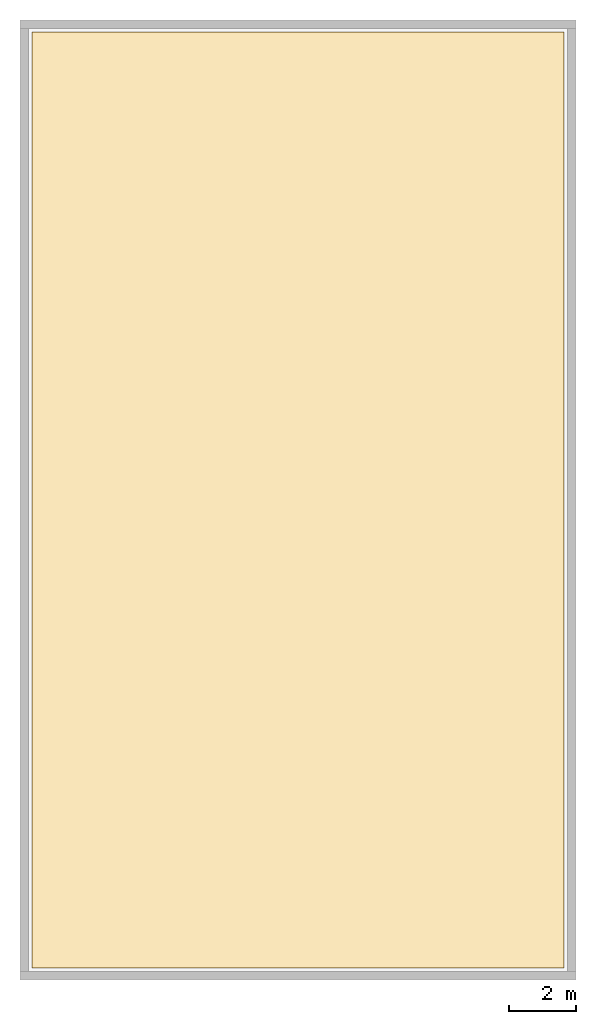
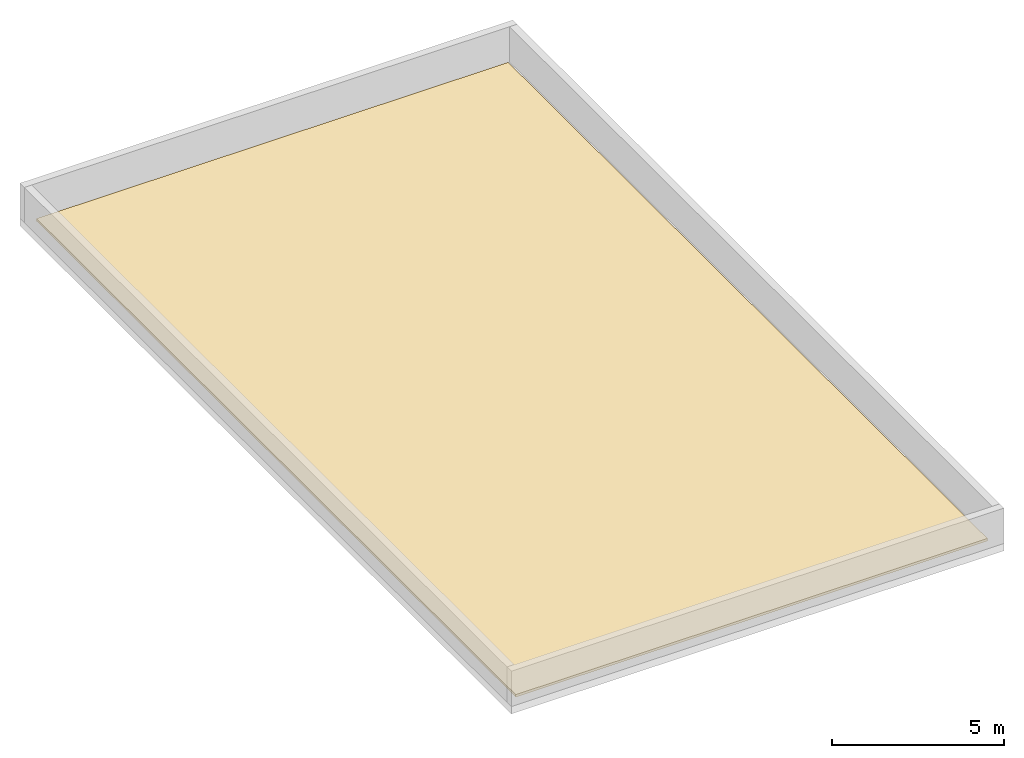
# One storey, part 2 of 2: 1 covering.
"""IFC4 building model written with IfcOpenShell, lengths in metres."""

from ifc_helpers import new_model, si_unit, direction, frame, origin, place, context, subcontext, project, spatial, polyline, outline, extrude, material, layer, layer_set, type_object, element, save


model = new_model("IFC4")

# Units and contexts
model_context = context("Model", 3, precision=1e-05, world=origin(), true_north=direction((0.0, 1.0)))
body_context = subcontext(model_context, "Body", "Model", "MODEL_VIEW")
ifc_project = project(units=[si_unit("LENGTHUNIT", "METRE"), si_unit("AREAUNIT", "SQUARE_METRE"), si_unit("VOLUMEUNIT", "CUBIC_METRE"), si_unit("PLANEANGLEUNIT", "RADIAN"), si_unit("MASSUNIT", "GRAM", prefix="KILO")], contexts=[model_context])

# Site, building, storey
site_placement = place(None, origin())
site = spatial("IfcSite", under=ifc_project, at=site_placement, CompositionType="ELEMENT")
building_placement = place(site_placement, origin())
building = spatial("IfcBuilding", under=site, at=building_placement, Name="Kharzan Plaza Tower", CompositionType="ELEMENT")
storey_placement = place(building_placement, frame((0.0, 0.0, 302.39990234375)))
storey = spatial("IfcBuildingStorey", under=building, at=storey_placement, Name="RF", CompositionType="ELEMENT", Elevation=302.39990234375)

# Covering
ifc_material = material(Name="Inverted EPDM Waterproofing and Gravel Ballast", Category="membrane")
ifc_layer = layer(ifc_material, 0.0849609375)
ifc_layer_set = layer_set([ifc_layer], Name="Inverted EPDM Waterproofing and Gravel Ballast")
covering_type = type_object("IfcCoveringType", Name="COV-ROOF-MEMB", PredefinedType="ROOFING", material=ifc_layer_set)
covering_placement = place(storey_placement, origin())
element("IfcCovering", 1, at=covering_placement, inside=storey, type_object=covering_type, Name="RF Lantern Crown Waterproofing Membrane", PredefinedType="ROOFING", context=body_context, shape_type="SweptSolid", body=[
    extrude(outline(polyline([(3.35009765625, 5.35009765625), (19.14990234375, 5.35009765625), (19.14990234375, 33.14990234375), (3.35009765625, 33.14990234375), (3.35009765625, 5.35009765625)])), origin(), (0.0, 0.0, 1.0), 0.085205078125),
])

save(model, "model.ifc")
